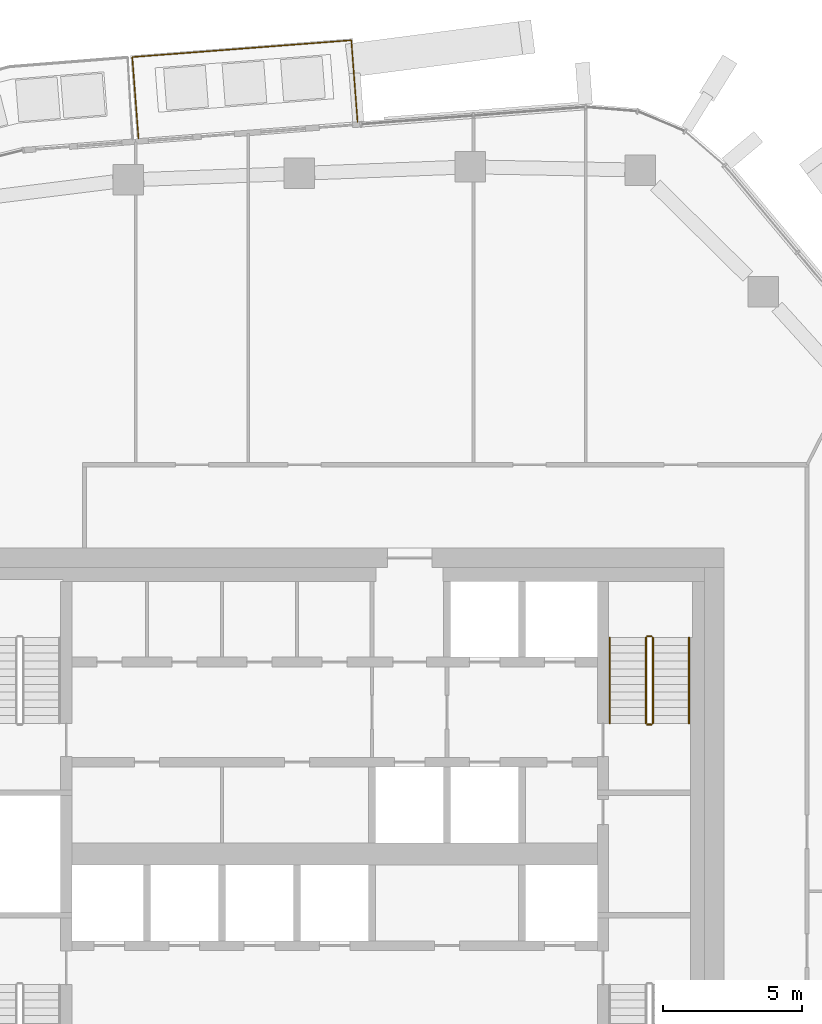
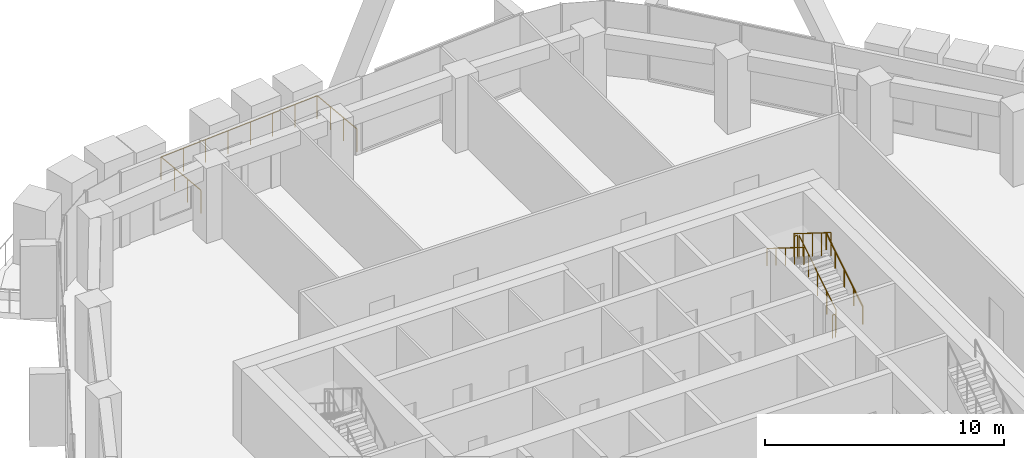
# One storey, part 19 of 20: 7 railings.
"""IFC4 building model written with IfcOpenShell, lengths in metres."""

from ifc_helpers import new_model, si_unit, direction, frame, origin, origin_2d, place, context, subcontext, project, spatial, circle, extrude, material, type_object, element, save


model = new_model("IFC4")

# Units and contexts
model_context = context("Model", 3, precision=1e-05, world=origin(), true_north=direction((0.0, 1.0)))
body_context = subcontext(model_context, "Body", "Model", "MODEL_VIEW")
ifc_project = project(units=[si_unit("LENGTHUNIT", "METRE"), si_unit("AREAUNIT", "SQUARE_METRE"), si_unit("VOLUMEUNIT", "CUBIC_METRE"), si_unit("PLANEANGLEUNIT", "RADIAN"), si_unit("MASSUNIT", "GRAM", prefix="KILO")], contexts=[model_context])

# Site, building, storey
site_placement = place(None, origin())
site = spatial("IfcSite", under=ifc_project, at=site_placement, CompositionType="ELEMENT")
building_placement = place(site_placement, origin())
building = spatial("IfcBuilding", under=site, at=building_placement, Name="Dongbaek Canopy Tower", CompositionType="ELEMENT")
storey_placement = place(building_placement, frame((0.0, 0.0, 241.199951171875)))
storey = spatial("IfcBuildingStorey", under=building, at=storey_placement, Name="L50", CompositionType="ELEMENT", Elevation=241.199951171875)

# Railings
ifc_material_1 = material(Name="Stainless steel", Category="steel")
railing_type_1 = type_object("IfcRailingType", Name="Balcony balustrade 1200", PredefinedType="BALUSTRADE", material=ifc_material_1)
railing_1_placement = place(storey_placement, frame((0.82763671875, 26.336181640625, 0.0)))
element("IfcRailing", 1, at=railing_1_placement, inside=storey, type_object=railing_type_1, Name="Balcony guard L50 2", PredefinedType="BALUSTRADE", context=body_context, shape_type="SweptSolid", body=[
    extrude(circle(Radius=0.02392578125, at=origin_2d()), frame((0.0, 0.0, 1.17578125), z_axis=(-0.076480590967, 0.997071070288, 0.0), x_axis=(-0.997071070288, -0.076480590967, 0.0)), (0.0, 0.0, 1.0), 2.93994140625),
    extrude(circle(Radius=0.02392578125, at=origin_2d()), frame((-0.224853515625, 2.931396484375, 1.17578125), z_axis=(-0.997069551108, -0.076500393807, 0.0), x_axis=(0.076500393807, -0.997069551108, 0.0)), (0.0, 0.0, 1.0), 7.90185546875),
    extrude(circle(Radius=0.02392578125, at=origin_2d()), frame((-8.103515625, 2.326904296875, 1.17578125), z_axis=(0.076480590967, -0.997071070288, 0.0), x_axis=(0.997071070288, 0.076480590967, 0.0)), (0.0, 0.0, 1.0), 2.93994140625),
    extrude(circle(Radius=0.02099609375, at=origin_2d()), origin(), (0.0, 0.0, 1.0), 1.15185546875),
    extrude(circle(Radius=0.02099609375, at=origin_2d()), frame((-0.074951171875, 0.97705078125, 0.0)), (0.0, 0.0, 1.0), 1.15185546875),
    extrude(circle(Radius=0.02099609375, at=origin_2d()), frame((-0.14990234375, 1.954345703125, 0.0)), (0.0, 0.0, 1.0), 1.15185546875),
    extrude(circle(Radius=0.02099609375, at=origin_2d()), frame((-0.224853515625, 2.931396484375, 0.0)), (0.0, 0.0, 1.0), 1.15185546875),
    extrude(circle(Radius=0.02099609375, at=origin_2d()), frame((-1.350341796875, 2.844970703125, 0.0)), (0.0, 0.0, 1.0), 1.15185546875),
    extrude(circle(Radius=0.02099609375, at=origin_2d()), frame((-2.475830078125, 2.7587890625, 0.0)), (0.0, 0.0, 1.0), 1.15185546875),
    extrude(circle(Radius=0.02099609375, at=origin_2d()), frame((-3.601318359375, 2.67236328125, 0.0)), (0.0, 0.0, 1.0), 1.15185546875),
    extrude(circle(Radius=0.02099609375, at=origin_2d()), frame((-4.72705078125, 2.5859375, 0.0)), (0.0, 0.0, 1.0), 1.15185546875),
    extrude(circle(Radius=0.02099609375, at=origin_2d()), frame((-5.8525390625, 2.49951171875, 0.0)), (0.0, 0.0, 1.0), 1.15185546875),
    extrude(circle(Radius=0.02099609375, at=origin_2d()), frame((-6.97802734375, 2.413330078125, 0.0)), (0.0, 0.0, 1.0), 1.15185546875),
    extrude(circle(Radius=0.02099609375, at=origin_2d()), frame((-8.103515625, 2.326904296875, 0.0)), (0.0, 0.0, 1.0), 1.15185546875),
    extrude(circle(Radius=0.02099609375, at=origin_2d()), frame((-8.028564453125, 1.349853515625, 0.0)), (0.0, 0.0, 1.0), 1.15185546875),
    extrude(circle(Radius=0.02099609375, at=origin_2d()), frame((-7.95361328125, 0.37255859375, 0.0)), (0.0, 0.0, 1.0), 1.15185546875),
    extrude(circle(Radius=0.02099609375, at=origin_2d()), frame((-7.878662109375, -0.6044921875, 0.0)), (0.0, 0.0, 1.0), 1.15185546875),
])
ifc_material_2 = material(Name="Stainless steel tube and balusters", Category="steel")
railing_type_2 = type_object("IfcRailingType", Name="Stair guard 1200", PredefinedType="GUARDRAIL", material=ifc_material_2)
railing_2_placement = place(storey_placement, frame((11.449951171875, 4.699951171875, 0.175048828125)))
element("IfcRailing", 2, at=railing_2_placement, inside=storey, type_object=railing_type_2, Name="L50 ST-A stair guard 1", PredefinedType="GUARDRAIL", context=body_context, shape_type="SweptSolid", body=[
    extrude(circle(Radius=0.02392578125, at=origin_2d()), frame((0.0, 0.0, 1.17578125), z_axis=(0.0, 0.847998304005, 0.529998940003), x_axis=(-1.0, 0.0, 0.0)), (0.0, 0.0, 1.0), 3.632080078125),
    extrude(circle(Radius=0.02099609375, at=origin_2d()), origin(), (0.0, 0.0, 1.0), 1.15185546875),
    extrude(circle(Radius=0.02099609375, at=origin_2d()), frame((0.0, 0.77001953125, 0.481201171875)), (0.0, 0.0, 1.0), 1.15185546875),
    extrude(circle(Radius=0.02099609375, at=origin_2d()), frame((0.0, 1.5400390625, 0.96240234375)), (0.0, 0.0, 1.0), 1.15185546875),
    extrude(circle(Radius=0.02099609375, at=origin_2d()), frame((0.0, 2.31005859375, 1.44384765625)), (0.0, 0.0, 1.0), 1.15185546875),
    extrude(circle(Radius=0.02099609375, at=origin_2d()), frame((0.0, 3.080078125, 1.925048828125)), (0.0, 0.0, 1.0), 1.15185546875),
])
railing_3_placement = place(storey_placement, frame((11.39990234375, 7.830078125, 2.10009765625)))
element("IfcRailing", 3, at=railing_3_placement, inside=storey, type_object=railing_type_2, Name="L50 ST-A stair guard 2", PredefinedType="GUARDRAIL", context=body_context, shape_type="SweptSolid", body=[
    extrude(circle(Radius=0.02392578125, at=origin_2d()), frame((0.0, 0.0, 1.17578125), z_axis=(-1.0, 0.0, 0.0), x_axis=(0.0, -1.0, 0.0)), (0.0, 0.0, 1.0), 0.14990234375),
    extrude(circle(Radius=0.02099609375, at=origin_2d()), origin(), (0.0, 0.0, 1.0), 1.15185546875),
    extrude(circle(Radius=0.02099609375, at=origin_2d()), frame((-0.14990234375, 0.0, 0.0)), (0.0, 0.0, 1.0), 1.15185546875),
])
railing_4_placement = place(storey_placement, frame((11.199951171875, 7.780029296875, 2.275146484375)))
element("IfcRailing", 4, at=railing_4_placement, inside=storey, type_object=railing_type_2, Name="L50 ST-A stair guard 3", PredefinedType="GUARDRAIL", context=body_context, shape_type="SweptSolid", body=[
    extrude(circle(Radius=0.02392578125, at=origin_2d()), frame((0.0, 0.0, 1.17578125), z_axis=(0.0, -0.848028513186, 0.529950602248), x_axis=(1.0, 0.0, 0.0)), (0.0, 0.0, 1.0), 3.632080078125),
    extrude(circle(Radius=0.02099609375, at=origin_2d()), origin(), (0.0, 0.0, 1.0), 1.15185546875),
    extrude(circle(Radius=0.02099609375, at=origin_2d()), frame((0.0, -0.77001953125, 0.481201171875)), (0.0, 0.0, 1.0), 1.15185546875),
    extrude(circle(Radius=0.02099609375, at=origin_2d()), frame((0.0, -1.5400390625, 0.96240234375)), (0.0, 0.0, 1.0), 1.15185546875),
    extrude(circle(Radius=0.02099609375, at=origin_2d()), frame((0.0, -2.31005859375, 1.443603515625)), (0.0, 0.0, 1.0), 1.15185546875),
    extrude(circle(Radius=0.02099609375, at=origin_2d()), frame((0.0, -3.080078125, 1.9248046875)), (0.0, 0.0, 1.0), 1.15185546875),
])
railing_5_placement = place(storey_placement, frame((11.39990234375, 4.64990234375, 0.0)))
element("IfcRailing", 5, at=railing_5_placement, inside=storey, type_object=railing_type_2, Name="L50 ST-A stair guard 4", PredefinedType="GUARDRAIL", context=body_context, shape_type="SweptSolid", body=[
    extrude(circle(Radius=0.02392578125, at=origin_2d()), frame((0.0, 0.0, 1.17578125), z_axis=(-1.0, 0.0, 0.0), x_axis=(0.0, -1.0, 0.0)), (0.0, 0.0, 1.0), 0.14990234375),
    extrude(circle(Radius=0.02099609375, at=origin_2d()), origin(), (0.0, 0.0, 1.0), 1.15185546875),
    extrude(circle(Radius=0.02099609375, at=origin_2d()), frame((-0.14990234375, 0.0, 0.0)), (0.0, 0.0, 1.0), 1.15185546875),
])
ifc_material_3 = material(Name="Stainless steel tube", Category="steel")
railing_type_3 = type_object("IfcRailingType", Name="Stair handrail 900", PredefinedType="HANDRAIL", material=ifc_material_3)
railing_6_placement = place(storey_placement, frame((12.75, 4.699951171875, 0.175048828125)))
element("IfcRailing", 6, at=railing_6_placement, inside=storey, type_object=railing_type_3, Name="L50 ST-A stair handrail 1", PredefinedType="HANDRAIL", context=body_context, shape_type="SweptSolid", body=[
    extrude(circle(Radius=0.02392578125, at=origin_2d()), frame((0.0, 0.0, 0.8759765625), z_axis=(0.0, 0.847998304005, 0.529998940003), x_axis=(-1.0, 0.0, 0.0)), (0.0, 0.0, 1.0), 3.632080078125),
    extrude(circle(Radius=0.02099609375, at=origin_2d()), origin(), (0.0, 0.0, 1.0), 0.851806640625),
    extrude(circle(Radius=0.02099609375, at=origin_2d()), frame((0.0, 0.77001953125, 0.481201171875)), (0.0, 0.0, 1.0), 0.851806640625),
    extrude(circle(Radius=0.02099609375, at=origin_2d()), frame((0.0, 1.5400390625, 0.96240234375)), (0.0, 0.0, 1.0), 0.851806640625),
    extrude(circle(Radius=0.02099609375, at=origin_2d()), frame((0.0, 2.31005859375, 1.44384765625)), (0.0, 0.0, 1.0), 0.851806640625),
    extrude(circle(Radius=0.02099609375, at=origin_2d()), frame((0.0, 3.080078125, 1.925048828125)), (0.0, 0.0, 1.0), 0.851806640625),
])
railing_7_placement = place(storey_placement, frame((9.89990234375, 7.780029296875, 2.275146484375)))
element("IfcRailing", 7, at=railing_7_placement, inside=storey, type_object=railing_type_3, Name="L50 ST-A stair handrail 2", PredefinedType="HANDRAIL", context=body_context, shape_type="SweptSolid", body=[
    extrude(circle(Radius=0.02392578125, at=origin_2d()), frame((0.0, 0.0, 0.8759765625), z_axis=(0.0, -0.848028513186, 0.529950602248), x_axis=(1.0, 0.0, 0.0)), (0.0, 0.0, 1.0), 3.632080078125),
    extrude(circle(Radius=0.02099609375, at=origin_2d()), origin(), (0.0, 0.0, 1.0), 0.851806640625),
    extrude(circle(Radius=0.02099609375, at=origin_2d()), frame((0.0, -0.77001953125, 0.481201171875)), (0.0, 0.0, 1.0), 0.851806640625),
    extrude(circle(Radius=0.02099609375, at=origin_2d()), frame((0.0, -1.5400390625, 0.96240234375)), (0.0, 0.0, 1.0), 0.851806640625),
    extrude(circle(Radius=0.02099609375, at=origin_2d()), frame((0.0, -2.31005859375, 1.443603515625)), (0.0, 0.0, 1.0), 0.851806640625),
    extrude(circle(Radius=0.02099609375, at=origin_2d()), frame((0.0, -3.080078125, 1.9248046875)), (0.0, 0.0, 1.0), 0.851806640625),
])

save(model, "model.ifc")
